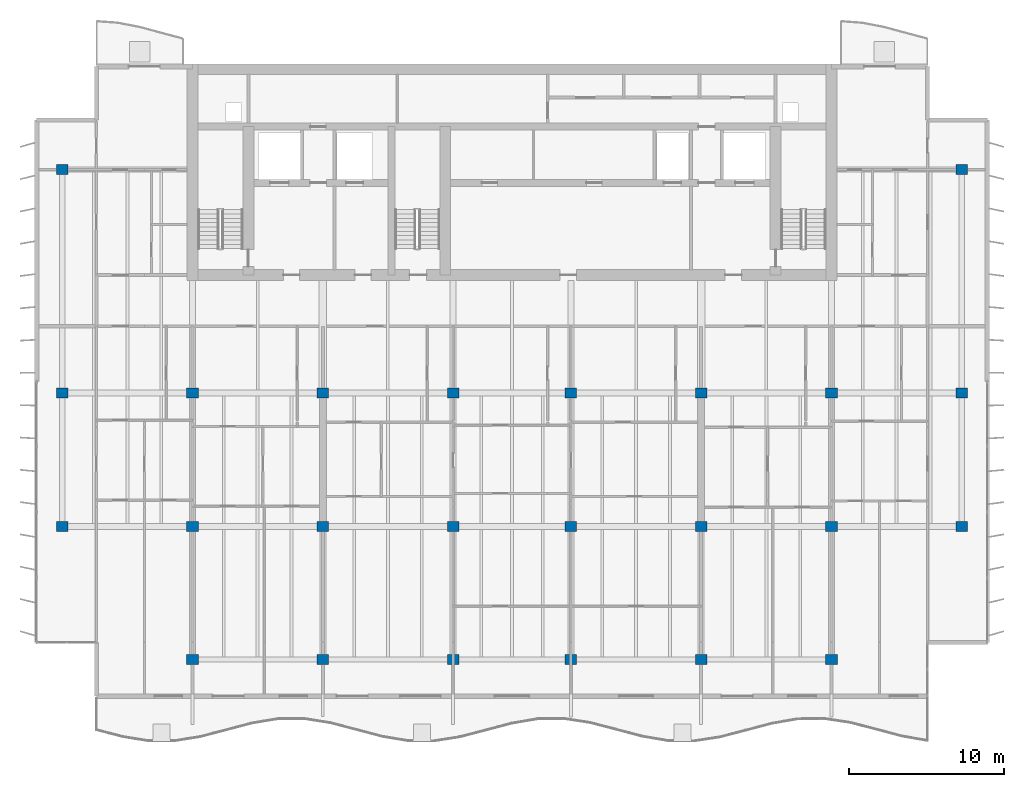
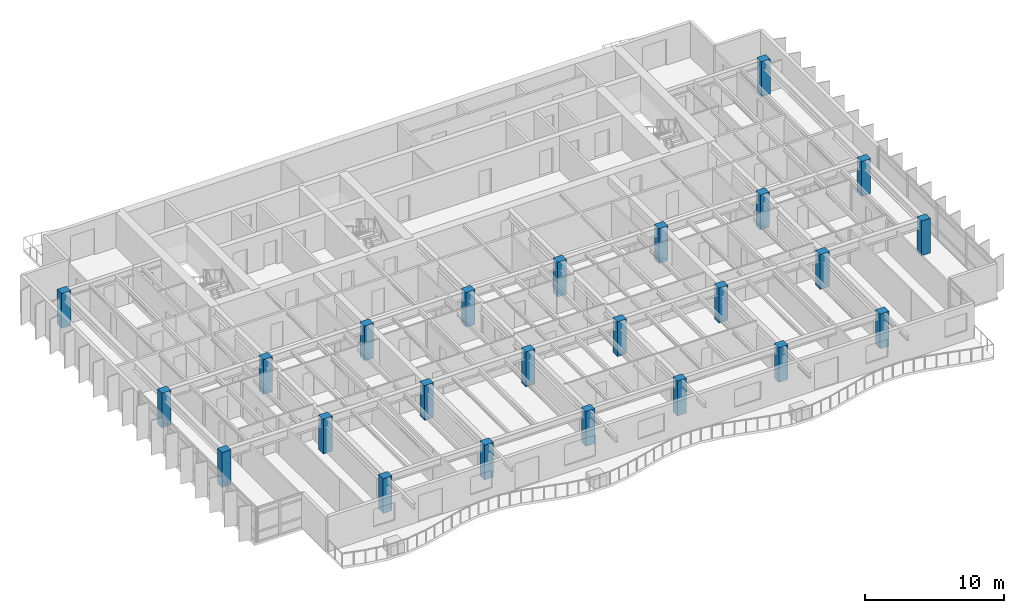
# One storey, part 1 of 17: 24 columns.
"""IFC4 building model written with IfcOpenShell, lengths in metres."""

from ifc_helpers import new_model, si_unit, direction, frame, origin, origin_2d, place, context, subcontext, project, spatial, rectangle, extrude, material, material_profile, profile_set, type_object, element, save


model = new_model("IFC4")

# Units and contexts
model_context = context("Model", 3, precision=1e-05, world=origin(), true_north=direction((0.0, 1.0)))
body_context = subcontext(model_context, "Body", "Model", "MODEL_VIEW")
ifc_project = project(units=[si_unit("LENGTHUNIT", "METRE"), si_unit("AREAUNIT", "SQUARE_METRE"), si_unit("VOLUMEUNIT", "CUBIC_METRE"), si_unit("PLANEANGLEUNIT", "RADIAN"), si_unit("MASSUNIT", "GRAM", prefix="KILO")], contexts=[model_context])

# Site, building, storey
site_placement = place(None, origin())
site = spatial("IfcSite", under=ifc_project, at=site_placement, CompositionType="ELEMENT")
building_placement = place(site_placement, origin())
building = spatial("IfcBuilding", under=site, at=building_placement, Name="Caelmar Bay Residences", CompositionType="ELEMENT")
storey_placement = place(building_placement, frame((0.0, 0.0, 246.300048828125)))
storey = spatial("IfcBuildingStorey", under=building, at=storey_placement, Name="L69", CompositionType="ELEMENT", Elevation=246.300048828125)

# Columns
ifc_material = material(Name="Concrete f'c 55 MPa (8,000 psi)", Category="concrete")
ifc_material_profile = material_profile(ifc_material, rectangle(XDim=0.75, YDim=0.64990234375, at=origin_2d()), Name="RC-COL-750X650")
ifc_profile_set = profile_set([ifc_material_profile], Name="Concrete f'c 55 MPa (8,000 psi)")
column_type = type_object("IfcColumnType", Name="COL-RC-750X650", PredefinedType="COLUMN", material=ifc_profile_set)
for number, where, z_axis, x_axis, name in (
    (1, (18.300048828125, 12.199951171875, 0.0), (0.0, 0.0, 1.0), (1.0, 0.0, 0.0), "L69 Column (18.30,12.20)"),
    (2, (26.699951171875, 12.199951171875, 0.0), (0.0, 0.0, 1.0), (1.0, 0.0, 0.0), "L69 Column (26.70,12.20)"),
    (3, (35.10009765625, 12.199951171875, 0.0), (0.0, 0.0, 1.0), (1.0, 0.0, 0.0), "L69 Column (35.10,12.20)"),
    (4, (42.699951171875, 12.199951171875, 0.0), (0.0, 0.0, 1.0), (1.0, 0.0, 0.0), "L69 Column (42.70,12.20)"),
    (5, (51.10009765625, 12.199951171875, 0.0), (0.0, 0.0, 1.0), (1.0, 0.0, 0.0), "L69 Column (51.10,12.20)"),
    (6, (59.5, 12.199951171875, 0.0), (0.0, 0.0, 1.0), (1.0, 0.0, 0.0), "L69 Column (59.50,12.20)"),
    (7, (9.89990234375, 20.800048828125, 0.0), (0.0, 0.0, 1.0), (1.0, 0.0, 0.0), "L69 Column (9.90,20.80)"),
    (8, (18.300048828125, 20.800048828125, 0.0), (0.0, 0.0, 1.0), (1.0, 0.0, 0.0), "L69 Column (18.30,20.80)"),
    (9, (26.699951171875, 20.800048828125, 0.0), (0.0, 0.0, 1.0), (1.0, 0.0, 0.0), "L69 Column (26.70,20.80)"),
    (10, (35.10009765625, 20.800048828125, 0.0), (0.0, 0.0, 1.0), (1.0, 0.0, 0.0), "L69 Column (35.10,20.80)"),
    (11, (42.699951171875, 20.800048828125, 0.0), (0.0, 0.0, 1.0), (1.0, 0.0, 0.0), "L69 Column (42.70,20.80)"),
    (12, (51.10009765625, 20.800048828125, 0.0), (0.0, 0.0, 1.0), (1.0, 0.0, 0.0), "L69 Column (51.10,20.80)"),
    (13, (59.5, 20.800048828125, 0.0), (0.0, 0.0, 1.0), (1.0, 0.0, 0.0), "L69 Column (59.50,20.80)"),
    (14, (67.89990234375, 20.800048828125, 0.0), (0.0, 0.0, 1.0), (1.0, 0.0, 0.0), "L69 Column (67.90,20.80)"),
    (15, (9.89990234375, 29.39990234375, 0.0), (0.0, 0.0, 1.0), (1.0, 0.0, 0.0), "L69 Column (9.90,29.40)"),
    (16, (18.300048828125, 29.39990234375, 0.0), (0.0, 0.0, 1.0), (1.0, 0.0, 0.0), "L69 Column (18.30,29.40)"),
    (17, (26.699951171875, 29.39990234375, 0.0), (0.0, 0.0, 1.0), (1.0, 0.0, 0.0), "L69 Column (26.70,29.40)"),
    (18, (35.10009765625, 29.39990234375, 0.0), (0.0, 0.0, 1.0), (1.0, 0.0, 0.0), "L69 Column (35.10,29.40)"),
    (19, (42.699951171875, 29.39990234375, 0.0), (0.0, 0.0, 1.0), (1.0, 0.0, 0.0), "L69 Column (42.70,29.40)"),
    (20, (51.10009765625, 29.39990234375, 0.0), (0.0, 0.0, 1.0), (1.0, 0.0, 0.0), "L69 Column (51.10,29.40)"),
    (21, (59.5, 29.39990234375, 0.0), (0.0, 0.0, 1.0), (1.0, 0.0, 0.0), "L69 Column (59.50,29.40)"),
    (22, (67.89990234375, 29.39990234375, 0.0), (0.0, 0.0, 1.0), (1.0, 0.0, 0.0), "L69 Column (67.90,29.40)"),
    (23, (9.89990234375, 43.800048828125, 0.0), (0.0, 0.0, 1.0), (1.0, 0.0, 0.0), "L69 Column (9.90,43.80)"),
    (24, (67.89990234375, 43.800048828125, 0.0), (0.0, 0.0, 1.0), (1.0, 0.0, 0.0), "L69 Column (67.90,43.80)"),
):
    element("IfcColumn", number, at=place(storey_placement, frame(where, z_axis=z_axis, x_axis=x_axis)), inside=storey, type_object=column_type, Name=name, PredefinedType="COLUMN", context=body_context, shape_type="SweptSolid", body=[
        extrude(rectangle(XDim=0.75, YDim=0.64990234375, at=origin_2d()), origin(), (0.0, 0.0, 1.0), 3.050048828125),
    ])

save(model, "model.ifc")
